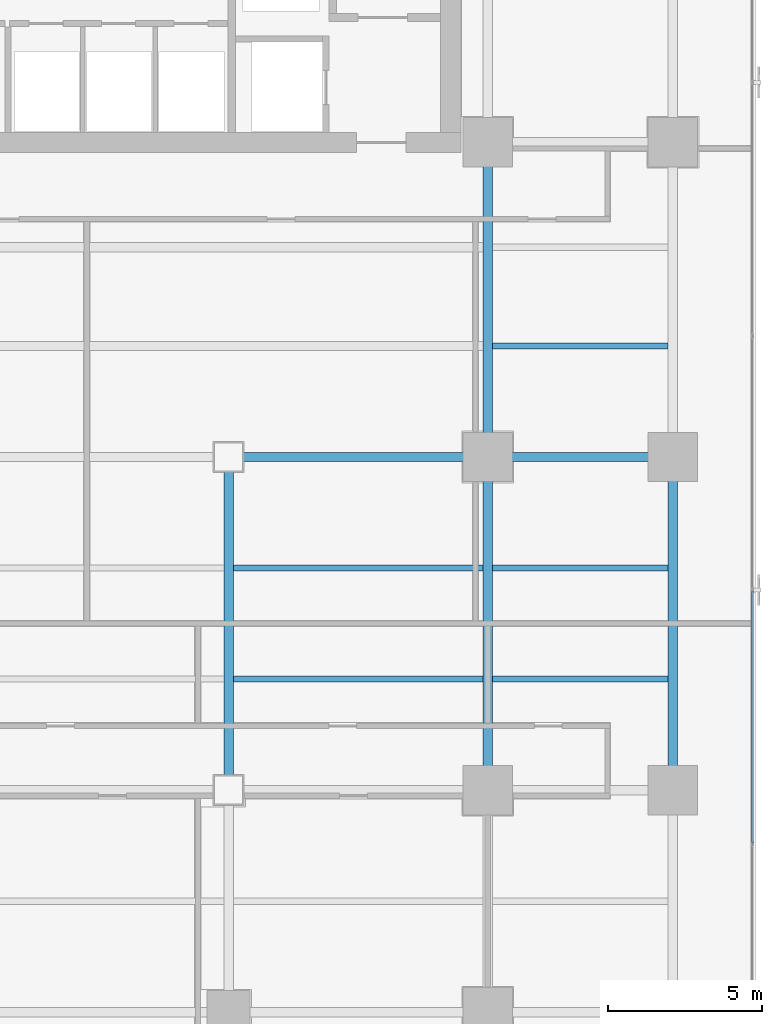
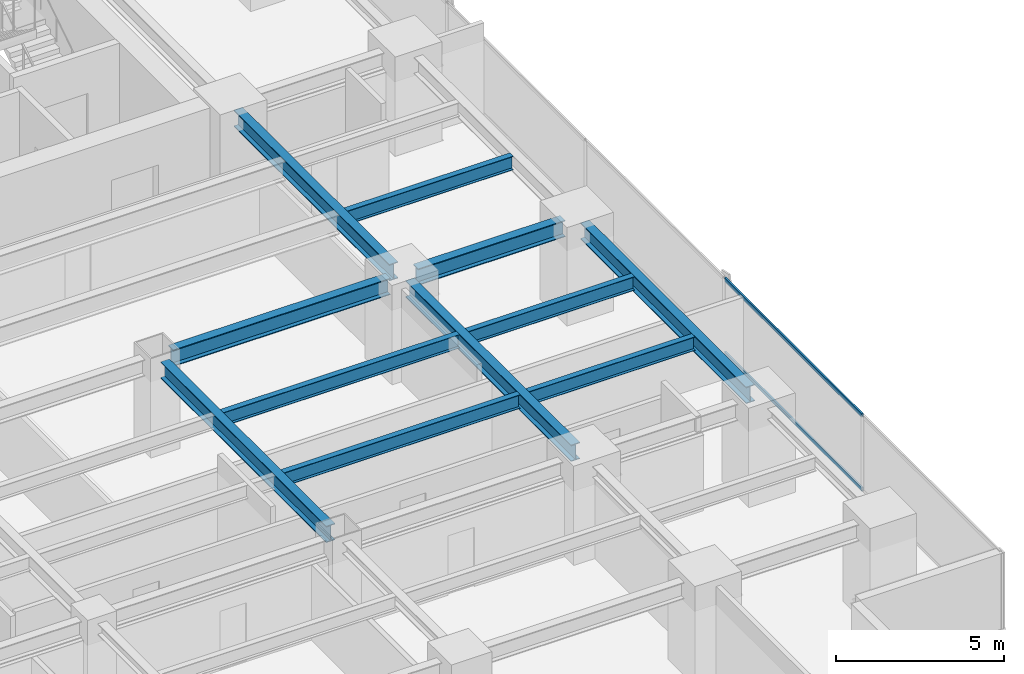
# One storey, part 15 of 37: 11 beams, 2 members, 1 element without a shape of its own.
"""IFC4 building model written with IfcOpenShell, lengths in metres."""

from ifc_helpers import new_model, si_unit, direction, frame, origin, origin_2d, place, context, subcontext, project, spatial, hollow_rectangle, i_section, extrude, source, transform, mapped, material, layer, layer_set, material_profile, profile_set, type_object, element, aggregate, save


model = new_model("IFC4")

# Units and contexts
model_context = context("Model", 3, precision=1e-05, world=origin(), true_north=direction((0.0, 1.0)))
body_context = subcontext(model_context, "Body", "Model", "MODEL_VIEW")
ifc_project = project(units=[si_unit("LENGTHUNIT", "METRE"), si_unit("AREAUNIT", "SQUARE_METRE"), si_unit("VOLUMEUNIT", "CUBIC_METRE"), si_unit("PLANEANGLEUNIT", "RADIAN"), si_unit("MASSUNIT", "GRAM", prefix="KILO")], contexts=[model_context])

# Site, building, storey
site_placement = place(None, origin())
site = spatial("IfcSite", under=ifc_project, at=site_placement, CompositionType="ELEMENT")
building_placement = place(site_placement, origin())
building = spatial("IfcBuilding", under=site, at=building_placement, Name="Sumidabori Civic Tower", CompositionType="ELEMENT")
storey_placement = place(building_placement, frame((0.0, 0.0, 110.0)))
storey = spatial("IfcBuildingStorey", under=building, at=storey_placement, Name="L28", CompositionType="ELEMENT", Elevation=110.0)

# Beams
ifc_material_1 = material(Name="Steel SN490", Category="steel")
ifc_material_profile_1 = material_profile(ifc_material_1, i_section(OverallWidth=0.300048828125, OverallDepth=0.60009765625, WebThickness=0.015380859375, FlangeThickness=0.030029296875, at=origin_2d()), Name="HE 600 B")
ifc_profile_set_1 = profile_set([ifc_material_profile_1], Name="Steel SN490")
beam_type_1 = type_object("IfcBeamType", Name="BM-GIRD-600", PredefinedType="BEAM", material=ifc_profile_set_1)
shared_shape_1 = source(origin(), body_context, "Body", "SweptSolid", [
    extrude(i_section(OverallWidth=0.300048828125, OverallDepth=0.60009765625, WebThickness=0.015380859375, FlangeThickness=0.030029296875, at=origin_2d()), origin(), (0.0, 0.0, 1.0), 5.0400390625),
])
beam_1_placement = place(storey_placement, frame((17.280029296875, 0.0, 3.06005859375), z_axis=(1.0, 0.0, 0.0), x_axis=(0.0, 1.0, 0.0)))
element("IfcBeam", 1, at=beam_1_placement, inside=storey, type_object=beam_type_1, Name="Primary Girder L28 GX-18", PredefinedType="BEAM", context=body_context, shape_type="MappedRepresentation", body=[
    mapped(shared_shape_1, transform((0.0, 0.0, 0.0), x_axis=(1.0, 0.0, 0.0), y_axis=(0.0, 1.0, 0.0), z_axis=(0.0, 0.0, 1.0), scale=1.0)),
])
shared_shape_2 = source(origin(), body_context, "Body", "SweptSolid", [
    extrude(i_section(OverallWidth=0.300048828125, OverallDepth=0.60009765625, WebThickness=0.015380859375, FlangeThickness=0.030029296875, at=origin_2d()), origin(), (0.0, 0.0, 1.0), 7.440185546875),
])
beam_2_placement = place(storey_placement, frame((8.8798828125, 0.0, 3.06005859375), z_axis=(1.0, 0.0, 0.0), x_axis=(0.0, 1.0, 0.0)))
element("IfcBeam", 2, at=beam_2_placement, inside=storey, type_object=beam_type_1, Name="Primary Girder L28 GX-17", PredefinedType="BEAM", context=body_context, shape_type="MappedRepresentation", body=[
    mapped(shared_shape_2, transform((0.0, 0.0, 0.0), x_axis=(1.0, 0.0, 0.0), y_axis=(0.0, 1.0, 0.0), z_axis=(0.0, 0.0, 1.0), scale=1.0)),
])
shared_shape_3 = source(origin(), body_context, "Body", "SweptSolid", [
    extrude(i_section(OverallWidth=0.300048828125, OverallDepth=0.60009765625, WebThickness=0.015380859375, FlangeThickness=0.030029296875, at=origin_2d()), origin(), (0.0, 0.0, 1.0), 9.840087890625),
])
for number, where, z_axis, x_axis, name in (
    (3, (8.39990234375, -10.320068359375, 3.06005859375), (0.0, 1.0, 0.0), (-1.0, 0.0, 0.0), "Primary Girder L28 GY-34"),
    (4, (16.800048828125, -10.320068359375, 3.06005859375), (0.0, 1.0, 0.0), (-1.0, 0.0, 0.0), "Primary Girder L28 GY-36"),
    (5, (22.800048828125, -10.320068359375, 3.06005859375), (0.0, 1.0, 0.0), (-1.0, 0.0, 0.0), "Primary Girder L28 GY-40"),
):
    element("IfcBeam", number, at=place(storey_placement, frame(where, z_axis=z_axis, x_axis=x_axis)), inside=storey, type_object=beam_type_1, Name=name, PredefinedType="BEAM", context=body_context, shape_type="MappedRepresentation", body=[
        mapped(shared_shape_3, transform((0.0, 0.0, 0.0), x_axis=(1.0, 0.0, 0.0), y_axis=(0.0, 1.0, 0.0), z_axis=(0.0, 0.0, 1.0), scale=1.0)),
    ])
shared_shape_4 = source(origin(), body_context, "Body", "SweptSolid", [
    extrude(i_section(OverallWidth=0.300048828125, OverallDepth=0.60009765625, WebThickness=0.015380859375, FlangeThickness=0.030029296875, at=origin_2d()), origin(), (0.0, 0.0, 1.0), 9.239990234375),
])
beam_3_placement = place(storey_placement, frame((16.800048828125, 0.47998046875, 3.06005859375), z_axis=(0.0, 1.0, 0.0), x_axis=(-1.0, 0.0, 0.0)))
element("IfcBeam", 6, at=beam_3_placement, inside=storey, type_object=beam_type_1, Name="Primary Girder L28 GY-37", PredefinedType="BEAM", context=body_context, shape_type="MappedRepresentation", body=[
    mapped(shared_shape_4, transform((0.0, 0.0, 0.0), x_axis=(1.0, 0.0, 0.0), y_axis=(0.0, 1.0, 0.0), z_axis=(0.0, 0.0, 1.0), scale=1.0)),
])
ifc_material_profile_2 = material_profile(ifc_material_1, i_section(OverallWidth=0.199951171875, OverallDepth=0.5, WebThickness=0.01025390625, FlangeThickness=0.01611328125, at=origin_2d()), Name="IPE 500")
ifc_profile_set_2 = profile_set([ifc_material_profile_2], Name="Steel SN490")
beam_type_2 = type_object("IfcBeamType", Name="BM-JST-500", PredefinedType="JOIST", material=ifc_profile_set_2)
shared_shape_5 = source(origin(), body_context, "Body", "SweptSolid", [
    extrude(i_section(OverallWidth=0.199951171875, OverallDepth=0.5, WebThickness=0.01025390625, FlangeThickness=0.01611328125, at=origin_2d()), origin(), (0.0, 0.0, 1.0), 5.699951171875),
])
for number, where, z_axis, x_axis, name in (
    (7, (16.949951171875, -7.199951171875, 3.110107421875), (1.0, 0.0, 0.0), (0.0, 1.0, 0.0), "Outer Bay Floor Joist L28 JSTO-44"),
    (8, (16.949951171875, -3.60009765625, 3.110107421875), (1.0, 0.0, 0.0), (0.0, 1.0, 0.0), "Outer Bay Floor Joist L28 JSTO-46"),
    (9, (16.949951171875, 3.60009765625, 3.110107421875), (1.0, 0.0, 0.0), (0.0, 1.0, 0.0), "Outer Bay Floor Joist L28 JSTO-48"),
):
    element("IfcBeam", number, at=place(storey_placement, frame(where, z_axis=z_axis, x_axis=x_axis)), inside=storey, type_object=beam_type_2, Name=name, PredefinedType="JOIST", context=body_context, shape_type="MappedRepresentation", body=[
        mapped(shared_shape_5, transform((0.0, 0.0, 0.0), x_axis=(1.0, 0.0, 0.0), y_axis=(0.0, 1.0, 0.0), z_axis=(0.0, 0.0, 1.0), scale=1.0)),
    ])
shared_shape_6 = source(origin(), body_context, "Body", "SweptSolid", [
    extrude(i_section(OverallWidth=0.199951171875, OverallDepth=0.5, WebThickness=0.01025390625, FlangeThickness=0.01611328125, at=origin_2d()), origin(), (0.0, 0.0, 1.0), 8.099853515625),
])
for number, where, z_axis, x_axis, name in (
    (10, (8.550048828125, -7.199951171875, 3.110107421875), (1.0, 0.0, 0.0), (0.0, 1.0, 0.0), "South Bay Floor Joist L28 JSTS-62"),
    (11, (8.550048828125, -3.60009765625, 3.110107421875), (1.0, 0.0, 0.0), (0.0, 1.0, 0.0), "South Bay Floor Joist L28 JSTS-66"),
):
    element("IfcBeam", number, at=place(storey_placement, frame(where, z_axis=z_axis, x_axis=x_axis)), inside=storey, type_object=beam_type_2, Name=name, PredefinedType="JOIST", context=body_context, shape_type="MappedRepresentation", body=[
        mapped(shared_shape_6, transform((0.0, 0.0, 0.0), x_axis=(1.0, 0.0, 0.0), y_axis=(0.0, 1.0, 0.0), z_axis=(0.0, 0.0, 1.0), scale=1.0)),
    ])

# Curtain wall, members
ifc_material_2 = material(Name="Anodised Bronze Aluminium AW-6063-T6", Category="aluminium")
ifc_layer = layer(ifc_material_2, 0.179931640625, Name="Anodised Bronze Aluminium AW-6063-T6")
ifc_layer_set = layer_set([ifc_layer], Name="Anodised Bronze Aluminium AW-6063-T6")
curtain_wall_type = type_object("IfcCurtainWallType", Name="CW-SYS-3", PredefinedType="NOTDEFINED", material=ifc_layer_set)
curtain_wall_placement = place(storey_placement, origin())
curtain_wall = element("IfcCurtainWall", 12, at=curtain_wall_placement, inside=storey, type_object=curtain_wall_type, Name="Curtain Wall CW:L28:R04", PredefinedType="NOTDEFINED")
ifc_material_profile_3 = material_profile(ifc_material_2, hollow_rectangle(XDim=0.06005859375, YDim=0.1298828125, WallThickness=0.0048828125, at=origin_2d()), Name="ALU TRANSOM 130x60")
ifc_profile_set_3 = profile_set([ifc_material_profile_3], Name="Anodised Bronze Aluminium AW-6063-T6")
member_type = type_object("IfcMemberType", Name="CW-TRN-130", PredefinedType="USERDEFINED", material=ifc_profile_set_3)
shared_shape_7 = source(origin(), body_context, "Body", "SweptSolid", [
    extrude(hollow_rectangle(XDim=0.06005859375, YDim=0.1298828125, WallThickness=0.0048828125, at=origin_2d()), origin(), (0.0, 0.0, 1.0), 8.1630859375),
])
member_1_placement = place(storey_placement, frame((25.3798828125, -12.509521484375, 0.030029296875), z_axis=(0.0, 1.0, 0.0), x_axis=(-1.0, 0.0, 0.0)))
member_1 = element("IfcMember", 13, at=member_1_placement, type_object=member_type, Name="CW-3 transom 2.1", ObjectType="TRANSOM", PredefinedType="USERDEFINED", context=body_context, shape_type="MappedRepresentation", body=[
    mapped(shared_shape_7, transform((0.0, 0.0, 0.0), x_axis=(1.0, 0.0, 0.0), y_axis=(0.0, 1.0, 0.0), z_axis=(0.0, 0.0, 1.0), scale=1.0)),
])
member_2_placement = place(storey_placement, frame((25.3798828125, -12.509521484375, 2.7099609375), z_axis=(0.0, 1.0, 0.0), x_axis=(-1.0, 0.0, 0.0)))
member_2 = element("IfcMember", 14, at=member_2_placement, type_object=member_type, Name="CW-3 transom 2.2", ObjectType="TRANSOM", PredefinedType="USERDEFINED", context=body_context, shape_type="MappedRepresentation", body=[
    mapped(shared_shape_7, transform((0.0, 0.0, 0.0), x_axis=(1.0, 0.0, 0.0), y_axis=(0.0, 1.0, 0.0), z_axis=(0.0, 0.0, 1.0), scale=1.0)),
])
aggregate(curtain_wall, [member_1, member_2])

save(model, "model.ifc")
